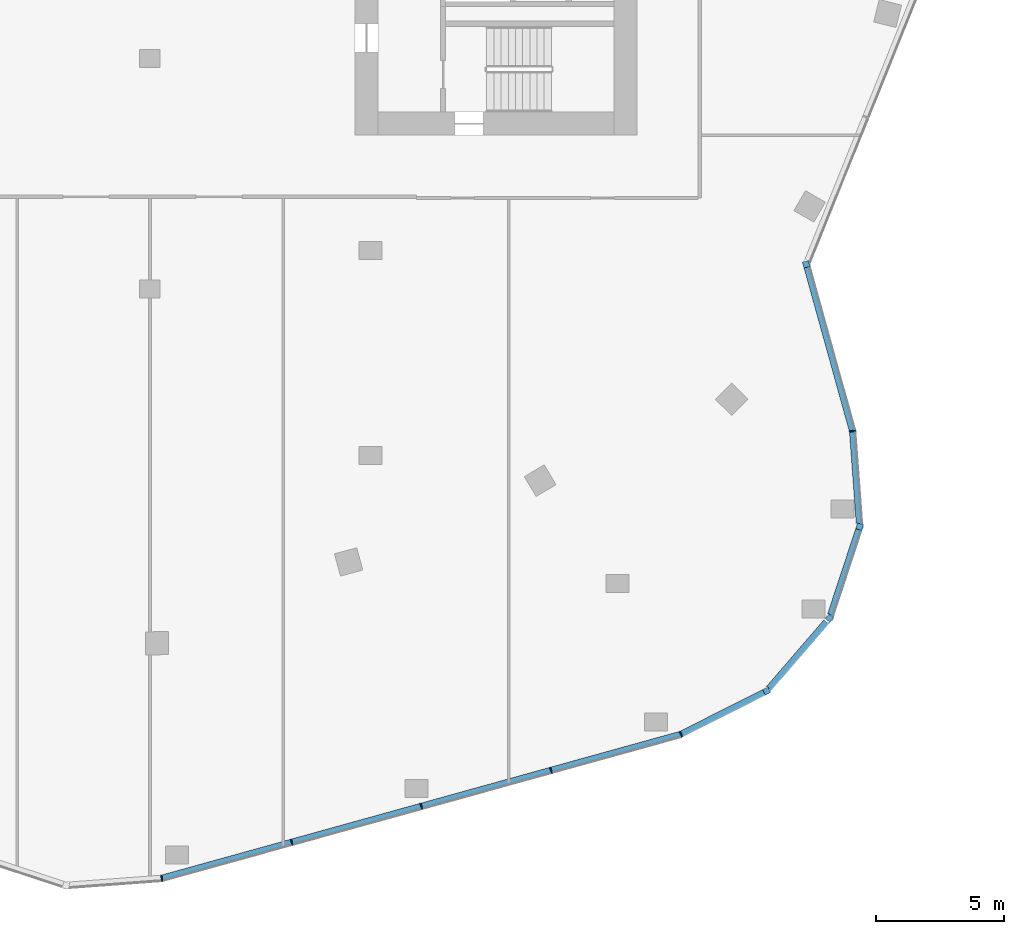
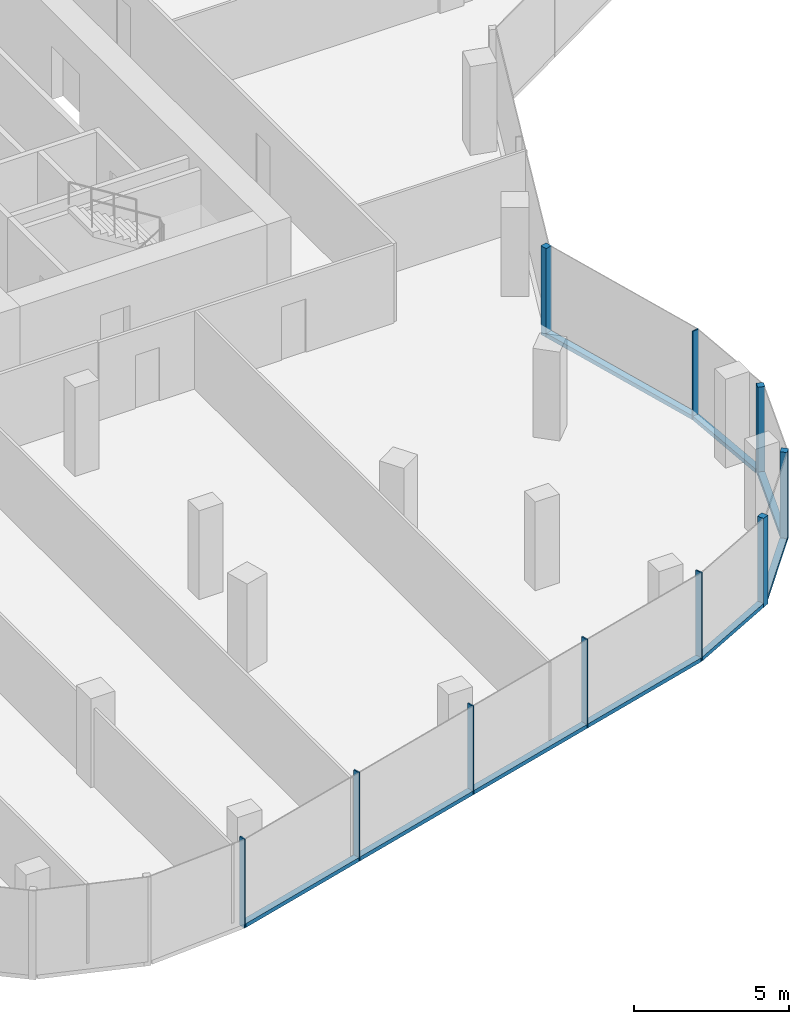
# One storey, part 4 of 16: 16 members, 7 elements without a shape of their own.
"""IFC4 building model written with IfcOpenShell, lengths in metres."""

from ifc_helpers import new_model, si_unit, direction, frame, origin, origin_2d, place, context, subcontext, project, spatial, rectangle, extrude, material, material_profile, profile_set, type_object, element, aggregate, save


model = new_model("IFC4")

# Units and contexts
model_context = context("Model", 3, precision=1e-05, world=origin(), true_north=direction((0.0, 1.0)))
body_context = subcontext(model_context, "Body", "Model", "MODEL_VIEW")
ifc_project = project(units=[si_unit("LENGTHUNIT", "METRE"), si_unit("AREAUNIT", "SQUARE_METRE"), si_unit("VOLUMEUNIT", "CUBIC_METRE"), si_unit("PLANEANGLEUNIT", "RADIAN"), si_unit("MASSUNIT", "GRAM", prefix="KILO")], contexts=[model_context])

# Site, building, storey
site_placement = place(None, origin())
site = spatial("IfcSite", under=ifc_project, at=site_placement, CompositionType="ELEMENT")
building_placement = place(site_placement, origin())
building = spatial("IfcBuilding", under=site, at=building_placement, Name="Orlundy Tower", CompositionType="ELEMENT")
storey_placement = place(building_placement, frame((0.0, 0.0, 282.39990234375)))
storey = spatial("IfcBuildingStorey", under=building, at=storey_placement, Name="L75", CompositionType="ELEMENT", Elevation=282.39990234375)

# Curtain wall, member
ifc_material_1 = material(Name="Aluminium bronze anodised", Category="aluminium")
curtain_wall_type = type_object("IfcCurtainWallType", Name="CW6 wall", PredefinedType="NOTDEFINED", material=ifc_material_1)
curtain_wall_1_placement = place(storey_placement, origin())
curtain_wall_1 = element("IfcCurtainWall", 1, at=curtain_wall_1_placement, inside=storey, type_object=curtain_wall_type, Name="CW6 run 02", PredefinedType="NOTDEFINED")
ifc_material_2 = material(Name="Aluminium bronze anodised", Category="aluminium")
ifc_material_profile_1 = material_profile(ifc_material_2, rectangle(XDim=0.239990234375, YDim=0.239990234375, at=origin_2d()), Name="CW6 corner post 240x240")
ifc_profile_set_1 = profile_set([ifc_material_profile_1], Name="Aluminium bronze anodised")
member_type_1 = type_object("IfcMemberType", Name="CW6 corner post 240x240", PredefinedType="MULLION", material=ifc_profile_set_1)
member_1_placement = place(storey_placement, frame((25.603515625, -17.0341796875, -0.39990234375), z_axis=(0.0, 0.0, 1.0), x_axis=(0.963625538767, 0.26725609635, 0.0)))
member_1 = element("IfcMember", 2, at=member_1_placement, type_object=member_type_1, Name="CW6 mullion 5", PredefinedType="MULLION", context=body_context, shape_type="SweptSolid", body=[
    extrude(rectangle(XDim=0.239990234375, YDim=0.239990234375, at=origin_2d()), origin(), (0.0, 0.0, 1.0), 3.5),
])

curtain_wall_2_placement = place(storey_placement, origin())
curtain_wall_2 = element("IfcCurtainWall", 3, at=curtain_wall_2_placement, inside=storey, type_object=curtain_wall_type, Name="CW6 run 04", PredefinedType="NOTDEFINED")
member_2_placement = place(storey_placement, frame((27.685546875, -27.27587890625, -0.39990234375), z_axis=(0.0, 0.0, 1.0), x_axis=(0.949757042161, -0.312988116173, 0.0)))
member_2 = element("IfcMember", 4, at=member_2_placement, type_object=member_type_1, Name="CW6 mullion 7", PredefinedType="MULLION", context=body_context, shape_type="SweptSolid", body=[
    extrude(rectangle(XDim=0.239990234375, YDim=0.239990234375, at=origin_2d()), origin(), (0.0, 0.0, 1.0), 3.5),
])

curtain_wall_3_placement = place(storey_placement, origin())
curtain_wall_3 = element("IfcCurtainWall", 5, at=curtain_wall_3_placement, inside=storey, type_object=curtain_wall_type, Name="CW6 run 05", PredefinedType="NOTDEFINED")
member_3_placement = place(storey_placement, frame((26.510498046875, -30.84130859375, -0.39990234375), z_axis=(0.0, 0.0, 1.0), x_axis=(0.757501961463, -0.652832887024, 0.0)))
member_3 = element("IfcMember", 6, at=member_3_placement, type_object=member_type_1, Name="CW6 mullion 8", PredefinedType="MULLION", context=body_context, shape_type="SweptSolid", body=[
    extrude(rectangle(XDim=0.239990234375, YDim=0.239990234375, at=origin_2d()), origin(), (0.0, 0.0, 1.0), 3.5),
])

curtain_wall_4_placement = place(storey_placement, origin())
curtain_wall_4 = element("IfcCurtainWall", 7, at=curtain_wall_4_placement, inside=storey, type_object=curtain_wall_type, Name="CW6 run 06", PredefinedType="NOTDEFINED")
member_4_placement = place(storey_placement, frame((24.059326171875, -33.685302734375, -0.39990234375), z_axis=(0.0, 0.0, 1.0), x_axis=(0.450017257968, -0.893019858419, 0.0)))
member_4 = element("IfcMember", 8, at=member_4_placement, type_object=member_type_1, Name="CW6 mullion 9", PredefinedType="MULLION", context=body_context, shape_type="SweptSolid", body=[
    extrude(rectangle(XDim=0.239990234375, YDim=0.239990234375, at=origin_2d()), origin(), (0.0, 0.0, 1.0), 3.5),
])

curtain_wall_5_placement = place(storey_placement, origin())
curtain_wall_5 = element("IfcCurtainWall", 9, at=curtain_wall_5_placement, inside=storey, type_object=curtain_wall_type, Name="CW6 run 03", PredefinedType="NOTDEFINED")
ifc_material_3 = material(Name="Aluminium bronze anodised", Category="aluminium")
ifc_material_profile_2 = material_profile(ifc_material_3, rectangle(XDim=0.239990234375, YDim=0.050048828125, at=origin_2d()), Name="CW6 mullion 50x240")
ifc_profile_set_2 = profile_set([ifc_material_profile_2], Name="Aluminium bronze anodised")
member_type_2 = type_object("IfcMemberType", Name="CW6 mullion 50x240", PredefinedType="MULLION", material=ifc_profile_set_2)
member_5_placement = place(storey_placement, frame((27.40869140625, -23.543212890625, -0.39990234375), z_axis=(0.0, 0.0, 1.0), x_axis=(0.985199614066, 0.171410969437, 0.0)))
member_5 = element("IfcMember", 10, at=member_5_placement, type_object=member_type_2, Name="CW6 mullion 6", PredefinedType="MULLION", context=body_context, shape_type="SweptSolid", body=[
    extrude(rectangle(XDim=0.239990234375, YDim=0.050048828125, at=origin_2d()), origin(), (0.0, 0.0, 1.0), 3.5),
])

# Curtain wall, members
curtain_wall_6_placement = place(storey_placement, origin())
curtain_wall_6 = element("IfcCurtainWall", 11, at=curtain_wall_6_placement, inside=storey, type_object=curtain_wall_type, Name="CW6 run 07", PredefinedType="NOTDEFINED")
member_6_placement = place(storey_placement, frame((20.717529296875, -35.369384765625, -0.39990234375), z_axis=(0.0, 0.0, 1.0), x_axis=(0.360362746117, -0.932812248639, 0.0)))
member_6 = element("IfcMember", 12, at=member_6_placement, type_object=member_type_2, Name="CW6 mullion 10", PredefinedType="MULLION", context=body_context, shape_type="SweptSolid", body=[
    extrude(rectangle(XDim=0.239990234375, YDim=0.050048828125, at=origin_2d()), origin(), (0.0, 0.0, 1.0), 3.5),
])
member_7_placement = place(storey_placement, frame((15.64697265625, -36.775634765625, -0.39990234375), z_axis=(0.0, 0.0, 1.0), x_axis=(0.267241052476, -0.963629710974, 0.0)))
member_7 = element("IfcMember", 13, at=member_7_placement, type_object=member_type_2, Name="CW6 mullion 11", PredefinedType="MULLION", context=body_context, shape_type="SweptSolid", body=[
    extrude(rectangle(XDim=0.239990234375, YDim=0.050048828125, at=origin_2d()), origin(), (0.0, 0.0, 1.0), 3.5),
])
member_8_placement = place(storey_placement, frame((10.588134765625, -38.1787109375, -0.39990234375), z_axis=(0.0, 0.0, 1.0), x_axis=(0.267241052476, -0.963629710974, 0.0)))
member_8 = element("IfcMember", 14, at=member_8_placement, type_object=member_type_2, Name="CW6 mullion 12", PredefinedType="MULLION", context=body_context, shape_type="SweptSolid", body=[
    extrude(rectangle(XDim=0.239990234375, YDim=0.050048828125, at=origin_2d()), origin(), (0.0, 0.0, 1.0), 3.5),
])
member_9_placement = place(storey_placement, frame((5.529052734375, -39.58154296875, -0.39990234375), z_axis=(0.0, 0.0, 1.0), x_axis=(0.267241052476, -0.963629710974, 0.0)))
member_9 = element("IfcMember", 15, at=member_9_placement, type_object=member_type_2, Name="CW6 mullion 13", PredefinedType="MULLION", context=body_context, shape_type="SweptSolid", body=[
    extrude(rectangle(XDim=0.239990234375, YDim=0.050048828125, at=origin_2d()), origin(), (0.0, 0.0, 1.0), 3.5),
])

# Curtain wall, member
curtain_wall_7_placement = place(storey_placement, origin())
curtain_wall_7 = element("IfcCurtainWall", 16, at=curtain_wall_7_placement, inside=storey, type_object=curtain_wall_type, Name="CW6 run 08", PredefinedType="NOTDEFINED")
member_10_placement = place(storey_placement, frame((0.458740234375, -40.98779296875, -0.39990234375), z_axis=(0.0, 0.0, 1.0), x_axis=(0.17153579032, -0.98517788883, 0.0)))
member_10 = element("IfcMember", 17, at=member_10_placement, type_object=member_type_2, Name="CW6 mullion 14", PredefinedType="MULLION", context=body_context, shape_type="SweptSolid", body=[
    extrude(rectangle(XDim=0.239990234375, YDim=0.050048828125, at=origin_2d()), origin(), (0.0, 0.0, 1.0), 3.5),
])
aggregate(curtain_wall_7, [member_10])

# Member
ifc_material_4 = material(Name="Aluminium bronze anodised", Category="aluminium")
ifc_material_profile_3 = material_profile(ifc_material_4, rectangle(XDim=0.239990234375, YDim=0.159912109375, at=origin_2d()), Name="CW6 transom 240x160")
ifc_profile_set_3 = profile_set([ifc_material_profile_3], Name="Aluminium bronze anodised")
member_type_3 = type_object("IfcMemberType", Name="CW6 transom 240x160", PredefinedType="USERDEFINED", material=ifc_profile_set_3)
member_11_placement = place(storey_placement, frame((25.635498046875, -17.14990234375, -0.31982421875), z_axis=(0.267278070295, -0.963619444148, 0.0), x_axis=(0.963619444148, 0.267278070295, 0.0)))
member_11 = element("IfcMember", 18, at=member_11_placement, type_object=member_type_3, Name="CW6 transom", ObjectType="TRANSOM", PredefinedType="USERDEFINED", context=body_context, shape_type="SweptSolid", body=[
    extrude(rectangle(XDim=0.239990234375, YDim=0.159912109375, at=origin_2d()), origin(), (0.0, 0.0, 1.0), 6.609619140625),
])

aggregate(curtain_wall_1, [member_1, member_11])

member_12_placement = place(storey_placement, frame((27.41064453125, -23.568359375, -0.31982421875), z_axis=(0.073896749776, -0.997265897528, 0.0), x_axis=(0.997265897528, 0.073896749776, 0.0)))
member_12 = element("IfcMember", 19, at=member_12_placement, type_object=member_type_3, Name="CW6 transom", ObjectType="TRANSOM", PredefinedType="USERDEFINED", context=body_context, shape_type="SweptSolid", body=[
    extrude(rectangle(XDim=0.239990234375, YDim=0.159912109375, at=origin_2d()), origin(), (0.0, 0.0, 1.0), 3.587890625),
])

aggregate(curtain_wall_5, [member_5, member_12])

member_13_placement = place(storey_placement, frame((27.64794921875, -27.389892578125, -0.31982421875), z_axis=(-0.312985973529, -0.949757748257, 0.0), x_axis=(0.949757748257, -0.312985973529, 0.0)))
member_13 = element("IfcMember", 20, at=member_13_placement, type_object=member_type_3, Name="CW6 transom", ObjectType="TRANSOM", PredefinedType="USERDEFINED", context=body_context, shape_type="SweptSolid", body=[
    extrude(rectangle(XDim=0.239990234375, YDim=0.159912109375, at=origin_2d()), origin(), (0.0, 0.0, 1.0), 3.50390625),
])

aggregate(curtain_wall_2, [member_2, member_13])

member_14_placement = place(storey_placement, frame((26.38671875, -30.985107421875, -0.31982421875), z_axis=(-0.65289603536, -0.757447534164, 0.0), x_axis=(0.757447534164, -0.65289603536, 0.0)))
member_14 = element("IfcMember", 21, at=member_14_placement, type_object=member_type_3, Name="CW6 transom", ObjectType="TRANSOM", PredefinedType="USERDEFINED", context=body_context, shape_type="SweptSolid", body=[
    extrude(rectangle(XDim=0.239990234375, YDim=0.159912109375, at=origin_2d()), origin(), (0.0, 0.0, 1.0), 3.43505859375),
])

aggregate(curtain_wall_3, [member_3, member_14])

member_15_placement = place(storey_placement, frame((23.9521484375, -33.739501953125, -0.31982421875), z_axis=(-0.893024605068, -0.450007838535, 0.0), x_axis=(0.450007838535, -0.893024605068, 0.0)))
member_15 = element("IfcMember", 22, at=member_15_placement, type_object=member_type_3, Name="CW6 transom", ObjectType="TRANSOM", PredefinedType="USERDEFINED", context=body_context, shape_type="SweptSolid", body=[
    extrude(rectangle(XDim=0.239990234375, YDim=0.159912109375, at=origin_2d()), origin(), (0.0, 0.0, 1.0), 3.596923828125),
])

aggregate(curtain_wall_4, [member_4, member_15])

member_16_placement = place(storey_placement, frame((20.693359375, -35.376220703125, -0.31982421875), z_axis=(-0.963628895624, -0.267243992483, 0.0), x_axis=(0.267243992483, -0.963628895624, 0.0)))
member_16 = element("IfcMember", 23, at=member_16_placement, type_object=member_type_3, Name="CW6 transom", ObjectType="TRANSOM", PredefinedType="USERDEFINED", context=body_context, shape_type="SweptSolid", body=[
    extrude(rectangle(XDim=0.239990234375, YDim=0.159912109375, at=origin_2d()), origin(), (0.0, 0.0, 1.0), 20.973388671875),
])

aggregate(curtain_wall_6, [member_6, member_7, member_8, member_9, member_16])

save(model, "model.ifc")
